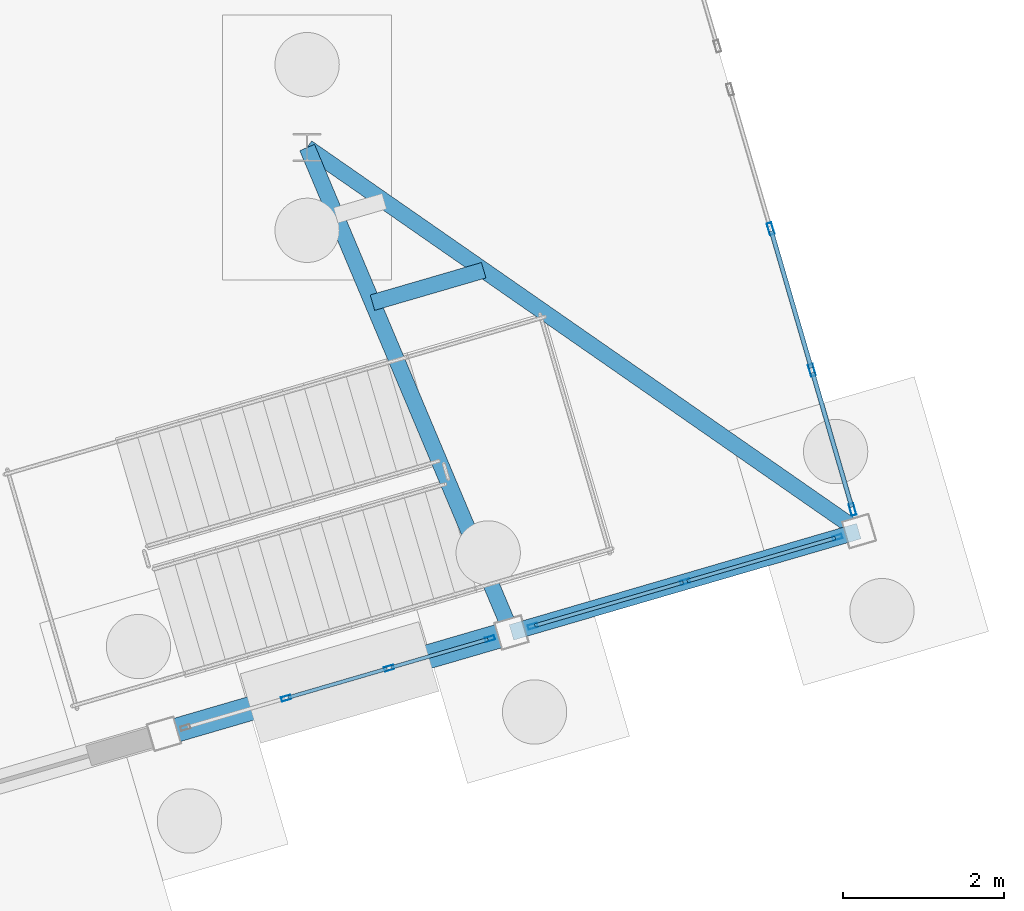
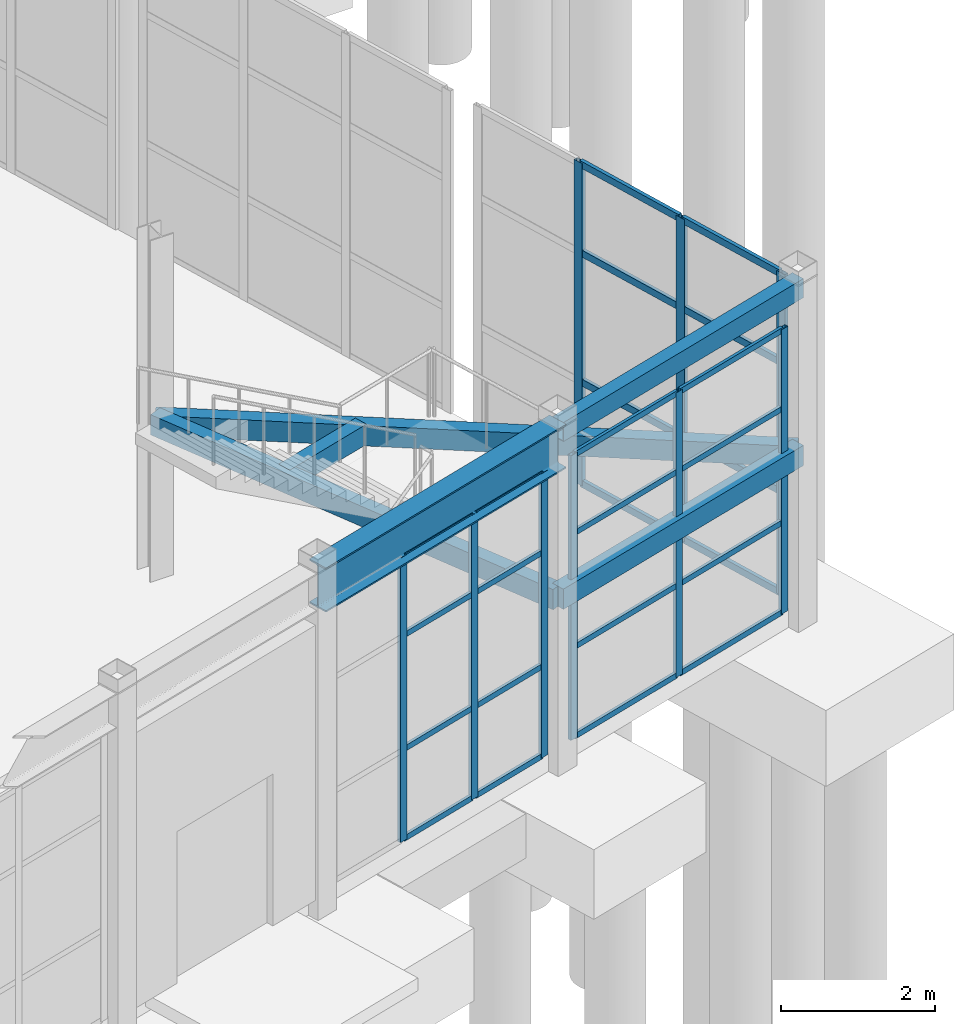
# One storey, part 35 of 90: 33 members, 6 beams, 3 elements without a shape of their own.
"""IFC4 building model written with IfcOpenShell, lengths in metres."""

from ifc_helpers import new_model, si_unit, direction, frame, origin, origin_2d, place, context, subcontext, project, spatial, rectangle, hollow_rectangle, i_section, extrude, material, layer, layer_set, material_profile, profile_set, type_object, element, aggregate, save


model = new_model("IFC4")

# Units and contexts
model_context = context("Model", 3, precision=1e-05, world=origin(), true_north=direction((0.0, 1.0)))
body_context = subcontext(model_context, "Body", "Model", "MODEL_VIEW")
ifc_project = project(units=[si_unit("LENGTHUNIT", "METRE"), si_unit("AREAUNIT", "SQUARE_METRE"), si_unit("VOLUMEUNIT", "CUBIC_METRE"), si_unit("PLANEANGLEUNIT", "RADIAN"), si_unit("MASSUNIT", "GRAM", prefix="KILO")], contexts=[model_context])

# Site, building, storey
site_placement = place(None, origin())
site = spatial("IfcSite", under=ifc_project, at=site_placement, CompositionType="ELEMENT")
building_placement = place(site_placement, origin())
building = spatial("IfcBuilding", under=site, at=building_placement, Name="Canggui Botanical Conservatory", CompositionType="ELEMENT")
storey_placement = place(building_placement, origin())
storey = spatial("IfcBuildingStorey", under=building, at=storey_placement, Name="L01", CompositionType="ELEMENT", Elevation=0.0)

# Beams
ifc_material_1 = material(Name="Steel Q355B", Category="steel")
ifc_material_profile_1 = material_profile(ifc_material_1, i_section(OverallWidth=0.300048828125, OverallDepth=0.699951171875, WebThickness=0.012939453125, FlangeThickness=0.02392578125, FilletRadius=0.02587890625, at=origin_2d()), Name="HN 700x300x13x24")
ifc_profile_set_1 = profile_set([ifc_material_profile_1], Name="Steel Q355B")
beam_type_1 = type_object("IfcBeamType", Name="BM-GL10", PredefinedType="BEAM", material=ifc_profile_set_1)
beam_1_placement = place(storey_placement, frame((63.199951171875, 54.60009765625, 4.824951171875), z_axis=(0.960000607627, 0.279997916698, 0.0), x_axis=(-0.279997916698, 0.960000607627, 0.0)))
element("IfcBeam", 1, at=beam_1_placement, inside=storey, type_object=beam_type_1, Name="Conservatory Skywalk Perimeter Girder V0-13", PredefinedType="BEAM", context=body_context, shape_type="SweptSolid", body=[
    extrude(i_section(OverallWidth=0.300048828125, OverallDepth=0.699951171875, WebThickness=0.012939453125, FlangeThickness=0.02392578125, FilletRadius=0.02587890625, at=origin_2d()), origin(), (0.0, 0.0, 1.0), 4.5),
])
ifc_material_profile_2 = material_profile(ifc_material_1, hollow_rectangle(XDim=0.199951171875, YDim=0.300048828125, WallThickness=0.010009765625, at=origin_2d()), Name="RHS 200x300x10")
ifc_profile_set_2 = profile_set([ifc_material_profile_2], Name="Steel Q355B")
beam_type_2 = type_object("IfcBeamType", Name="BM-GL11", PredefinedType="BEAM", material=ifc_profile_set_2)
beam_2_placement = place(storey_placement, frame((67.52001953125, 55.860107421875, 5.02490234375), z_axis=(0.960000607627, 0.279997916698, 0.0), x_axis=(-0.279997916698, 0.960000607627, 0.0)))
element("IfcBeam", 2, at=beam_2_placement, inside=storey, type_object=beam_type_2, Name="Conservatory Skywalk Perimeter Girder V0-14", PredefinedType="BEAM", context=body_context, shape_type="SweptSolid", body=[
    extrude(hollow_rectangle(XDim=0.199951171875, YDim=0.300048828125, WallThickness=0.010009765625, at=origin_2d()), origin(), (0.0, 0.0, 1.0), 4.5),
])
ifc_material_2 = material(Name="Concrete C35", Category="concrete")
ifc_material_profile_3 = material_profile(ifc_material_2, rectangle(XDim=0.199951171875, YDim=0.320068359375, at=origin_2d()), Name="RB 200x320")
ifc_profile_set_3 = profile_set([ifc_material_profile_3], Name="Concrete C35")
beam_type_3 = type_object("IfcBeamType", Name="BM-LIN02", PredefinedType="LINTEL", material=ifc_profile_set_3)
beam_3_placement = place(storey_placement, frame((67.52001953125, 55.860107421875, 2.3798828125), z_axis=(0.960000607627, 0.279997916698, 0.0), x_axis=(-0.279997916698, 0.960000607627, 0.0)))
element("IfcBeam", 3, at=beam_3_placement, inside=storey, type_object=beam_type_3, Name="ST-C2 Landing Header V0", PredefinedType="LINTEL", context=body_context, shape_type="SweptSolid", body=[
    extrude(rectangle(XDim=0.199951171875, YDim=0.320068359375, at=origin_2d()), origin(), (0.0, 0.0, 1.0), 4.5),
])
beam_4_placement = place(storey_placement, frame((67.52001953125, 55.860107421875, 2.3798828125), z_axis=(-0.388210463229, 0.921570744023, 0.0), x_axis=(-0.921570744023, -0.388210463229, 0.0)))
element("IfcBeam", 4, at=beam_4_placement, inside=storey, type_object=beam_type_3, Name="ST-C2 Landing Trimmer 1", PredefinedType="LINTEL", context=body_context, shape_type="SweptSolid", body=[
    extrude(rectangle(XDim=0.199951171875, YDim=0.320068359375, at=origin_2d()), origin(), (0.0, 0.0, 1.0), 6.54296875),
])
beam_5_placement = place(storey_placement, frame((71.840087890625, 57.1201171875, 2.3798828125), z_axis=(-0.821043943139, 0.570864995804, 0.0), x_axis=(-0.570864995804, -0.821043943139, 0.0)))
element("IfcBeam", 5, at=beam_5_placement, inside=storey, type_object=beam_type_3, Name="ST-C2 Landing Trimmer 2", PredefinedType="LINTEL", context=body_context, shape_type="SweptSolid", body=[
    extrude(rectangle(XDim=0.199951171875, YDim=0.320068359375, at=origin_2d()), origin(), (0.0, 0.0, 1.0), 8.35546875),
])
beam_6_placement = place(storey_placement, frame((65.792724609375, 59.96044921875, 2.3798828125), z_axis=(0.960032271591, 0.279889330814, 0.0), x_axis=(-0.279889330814, 0.960032271591, 0.0)))
element("IfcBeam", 6, at=beam_6_placement, inside=storey, type_object=beam_type_3, Name="ST-C2 Landing Cross Tie 1", PredefinedType="LINTEL", context=body_context, shape_type="SweptSolid", body=[
    extrude(rectangle(XDim=0.199951171875, YDim=0.320068359375, at=origin_2d()), origin(), (0.0, 0.0, 1.0), 1.440185546875),
])

# Curtain wall, members
ifc_material_3 = material(Name="Thermally Broken Aluminium", Category="aluminium")
ifc_layer_1 = layer(ifc_material_3, 0.14990234375, Name="Thermally Broken Aluminium", Category="aluminium")
ifc_layer_set_1 = layer_set([ifc_layer_1], Name="Thermally Broken Aluminium")
curtain_wall_type_1 = type_object("IfcCurtainWallType", Name="CW-UNIT-C", PredefinedType="USERDEFINED", material=ifc_layer_set_1)
curtain_wall_1_placement = place(storey_placement, origin())
curtain_wall_1 = element("IfcCurtainWall", 7, at=curtain_wall_1_placement, inside=storey, type_object=curtain_wall_type_1, Name="Facade Curtain Wall CW-CONS-GABLE-N-01", ObjectType="UNITISED CURTAIN WALL", PredefinedType="USERDEFINED")
ifc_material_profile_4 = material_profile(ifc_material_3, hollow_rectangle(XDim=0.06005859375, YDim=0.14990234375, WallThickness=0.00341796875, at=origin_2d()), Name="CWM 60x150x3.5")
ifc_profile_set_4 = profile_set([ifc_material_profile_4], Name="Thermally Broken Aluminium")
member_type_1 = type_object("IfcMemberType", Name="CWM-03", PredefinedType="MULLION", material=ifc_profile_set_4)
member_1_placement = place(storey_placement, frame((71.76171875, 57.388916015625, 0.0), z_axis=(0.0, 0.0, 1.0), x_axis=(-0.960000000002, -0.279999999995, 0.0)))
member_1 = element("IfcMember", 8, at=member_1_placement, type_object=member_type_1, Name="CW-03 mullion 1", PredefinedType="MULLION", context=body_context, shape_type="SweptSolid", body=[
    extrude(hollow_rectangle(XDim=0.06005859375, YDim=0.14990234375, WallThickness=0.00341796875, at=origin_2d()), origin(), (0.0, 0.0, 1.0), 5.10009765625),
])
member_2_placement = place(storey_placement, frame((71.256591796875, 59.1201171875, 0.0), z_axis=(0.0, 0.0, 1.0), x_axis=(-0.960000000002, -0.279999999995, 0.0)))
member_2 = element("IfcMember", 9, at=member_2_placement, type_object=member_type_1, Name="CW-03 mullion 2", PredefinedType="MULLION", context=body_context, shape_type="SweptSolid", body=[
    extrude(hollow_rectangle(XDim=0.06005859375, YDim=0.14990234375, WallThickness=0.00341796875, at=origin_2d()), origin(), (0.0, 0.0, 1.0), 5.10009765625),
])
member_3_placement = place(storey_placement, frame((70.743408203125, 60.8798828125, 0.0), z_axis=(0.0, 0.0, 1.0), x_axis=(-0.960000000002, -0.279999999995, 0.0)))
member_3 = element("IfcMember", 10, at=member_3_placement, type_object=member_type_1, Name="CW-03 mullion 3", PredefinedType="MULLION", context=body_context, shape_type="SweptSolid", body=[
    extrude(hollow_rectangle(XDim=0.06005859375, YDim=0.14990234375, WallThickness=0.00341796875, at=origin_2d()), origin(), (0.0, 0.0, 1.0), 5.10009765625),
])

ifc_layer_2 = layer(ifc_material_3, 0.1201171875, Name="Thermally Broken Aluminium", Category="aluminium")
ifc_layer_set_2 = layer_set([ifc_layer_2], Name="Thermally Broken Aluminium")
curtain_wall_type_2 = type_object("IfcCurtainWallType", Name="CW-STICK-B", PredefinedType="USERDEFINED", material=ifc_layer_set_2)
curtain_wall_2_placement = place(storey_placement, origin())
curtain_wall_2 = element("IfcCurtainWall", 11, at=curtain_wall_2_placement, inside=storey, type_object=curtain_wall_type_2, Name="Facade Curtain Wall CW-CONS-L01-V0-13", ObjectType="STICK GLAZED WALL", PredefinedType="USERDEFINED")
ifc_material_profile_5 = material_profile(ifc_material_3, hollow_rectangle(XDim=0.054931640625, YDim=0.1201171875, WallThickness=0.0029296875, at=origin_2d()), Name="CWM 55x120x3")
ifc_profile_set_5 = profile_set([ifc_material_profile_5], Name="Thermally Broken Aluminium")
member_type_2 = type_object("IfcMemberType", Name="CWM-05", PredefinedType="MULLION", material=ifc_profile_set_5)
member_4_placement = place(storey_placement, frame((67.253662109375, 55.7822265625, 0.0), z_axis=(0.0, 0.0, 1.0), x_axis=(0.279999999995, -0.960000000002, 0.0)))
member_4 = element("IfcMember", 12, at=member_4_placement, type_object=member_type_2, Name="CW-05 mullion 1", PredefinedType="MULLION", context=body_context, shape_type="SweptSolid", body=[
    extrude(hollow_rectangle(XDim=0.054931640625, YDim=0.1201171875, WallThickness=0.0029296875, at=origin_2d()), origin(), (0.0, 0.0, 1.0), 4.5),
])
member_5_placement = place(storey_placement, frame((66.0, 55.416748046875, 0.0), z_axis=(0.0, 0.0, 1.0), x_axis=(0.279999999995, -0.960000000002, 0.0)))
member_5 = element("IfcMember", 13, at=member_5_placement, type_object=member_type_2, Name="CW-05 mullion 2", PredefinedType="MULLION", context=body_context, shape_type="SweptSolid", body=[
    extrude(hollow_rectangle(XDim=0.054931640625, YDim=0.1201171875, WallThickness=0.0029296875, at=origin_2d()), origin(), (0.0, 0.0, 1.0), 4.5),
])
member_6_placement = place(storey_placement, frame((64.719970703125, 55.043212890625, 0.0), z_axis=(0.0, 0.0, 1.0), x_axis=(0.279999999995, -0.960000000002, 0.0)))
member_6 = element("IfcMember", 14, at=member_6_placement, type_object=member_type_2, Name="CW-05 mullion 3", PredefinedType="MULLION", context=body_context, shape_type="SweptSolid", body=[
    extrude(hollow_rectangle(XDim=0.054931640625, YDim=0.1201171875, WallThickness=0.0029296875, at=origin_2d()), origin(), (0.0, 0.0, 1.0), 4.5),
])

curtain_wall_3_placement = place(storey_placement, origin())
curtain_wall_3 = element("IfcCurtainWall", 15, at=curtain_wall_3_placement, inside=storey, type_object=curtain_wall_type_2, Name="Facade Curtain Wall CW-CONS-L01-V0-14", ObjectType="STICK GLAZED WALL", PredefinedType="USERDEFINED")
member_7_placement = place(storey_placement, frame((71.573486328125, 57.042236328125, 0.0), z_axis=(0.0, 0.0, 1.0), x_axis=(0.279999999995, -0.960000000002, 0.0)))
member_7 = element("IfcMember", 16, at=member_7_placement, type_object=member_type_2, Name="CW-05 mullion 1", PredefinedType="MULLION", context=body_context, shape_type="SweptSolid", body=[
    extrude(hollow_rectangle(XDim=0.054931640625, YDim=0.1201171875, WallThickness=0.0029296875, at=origin_2d()), origin(), (0.0, 0.0, 1.0), 4.5),
])
member_8_placement = place(storey_placement, frame((69.679931640625, 56.489990234375, 0.0), z_axis=(0.0, 0.0, 1.0), x_axis=(0.279999999995, -0.960000000002, 0.0)))
member_8 = element("IfcMember", 17, at=member_8_placement, type_object=member_type_2, Name="CW-05 mullion 2", PredefinedType="MULLION", context=body_context, shape_type="SweptSolid", body=[
    extrude(hollow_rectangle(XDim=0.054931640625, YDim=0.1201171875, WallThickness=0.0029296875, at=origin_2d()), origin(), (0.0, 0.0, 1.0), 4.5),
])
member_9_placement = place(storey_placement, frame((67.786376953125, 55.937744140625, 0.0), z_axis=(0.0, 0.0, 1.0), x_axis=(0.279999999995, -0.960000000002, 0.0)))
member_9 = element("IfcMember", 18, at=member_9_placement, type_object=member_type_2, Name="CW-05 mullion 3", PredefinedType="MULLION", context=body_context, shape_type="SweptSolid", body=[
    extrude(hollow_rectangle(XDim=0.054931640625, YDim=0.1201171875, WallThickness=0.0029296875, at=origin_2d()), origin(), (0.0, 0.0, 1.0), 4.5),
])

# Member
ifc_material_profile_6 = material_profile(ifc_material_3, hollow_rectangle(XDim=0.054931640625, YDim=0.110107421875, WallThickness=0.0029296875, at=origin_2d()), Name="CWT 55x110x3")
ifc_profile_set_6 = profile_set([ifc_material_profile_6], Name="Thermally Broken Aluminium")
member_type_3 = type_object("IfcMemberType", Name="CWT-03", PredefinedType="USERDEFINED", material=ifc_profile_set_6)
member_10_placement = place(storey_placement, frame((71.753173828125, 57.41748046875, 0.027587890625), z_axis=(-0.279913966289, 0.960025088983, 0.0), x_axis=(-0.960025088983, -0.279913966289, 0.0)))
member_10 = element("IfcMember", 19, at=member_10_placement, type_object=member_type_3, Name="CW-03 transom 1.1", ObjectType="TRANSOM", PredefinedType="USERDEFINED", context=body_context, shape_type="SweptSolid", body=[
    extrude(hollow_rectangle(XDim=0.054931640625, YDim=0.110107421875, WallThickness=0.0029296875, at=origin_2d()), origin(), (0.0, 0.0, 1.0), 1.743408203125),
])

member_11_placement = place(storey_placement, frame((71.753173828125, 57.41748046875, 1.632080078125), z_axis=(-0.279913966289, 0.960025088983, 0.0), x_axis=(-0.960025088983, -0.279913966289, 0.0)))
member_11 = element("IfcMember", 20, at=member_11_placement, type_object=member_type_3, Name="CW-03 transom 1.2", ObjectType="TRANSOM", PredefinedType="USERDEFINED", context=body_context, shape_type="SweptSolid", body=[
    extrude(hollow_rectangle(XDim=0.054931640625, YDim=0.110107421875, WallThickness=0.0029296875, at=origin_2d()), origin(), (0.0, 0.0, 1.0), 1.743408203125),
])

member_12_placement = place(storey_placement, frame((71.753173828125, 57.41748046875, 3.672119140625), z_axis=(-0.279913966289, 0.960025088983, 0.0), x_axis=(-0.960025088983, -0.279913966289, 0.0)))
member_12 = element("IfcMember", 21, at=member_12_placement, type_object=member_type_3, Name="CW-03 transom 1.3", ObjectType="TRANSOM", PredefinedType="USERDEFINED", context=body_context, shape_type="SweptSolid", body=[
    extrude(hollow_rectangle(XDim=0.054931640625, YDim=0.110107421875, WallThickness=0.0029296875, at=origin_2d()), origin(), (0.0, 0.0, 1.0), 1.743408203125),
])

member_13_placement = place(storey_placement, frame((71.753173828125, 57.41748046875, 5.072509765625), z_axis=(-0.279913966289, 0.960025088983, 0.0), x_axis=(-0.960025088983, -0.279913966289, 0.0)))
member_13 = element("IfcMember", 22, at=member_13_placement, type_object=member_type_3, Name="CW-03 transom 1.4", ObjectType="TRANSOM", PredefinedType="USERDEFINED", context=body_context, shape_type="SweptSolid", body=[
    extrude(hollow_rectangle(XDim=0.054931640625, YDim=0.110107421875, WallThickness=0.0029296875, at=origin_2d()), origin(), (0.0, 0.0, 1.0), 1.743408203125),
])

member_14_placement = place(storey_placement, frame((71.248291015625, 59.148681640625, 0.027587890625), z_axis=(-0.279989428111, 0.960003083405, 0.0), x_axis=(-0.960003083405, -0.279989428111, 0.0)))
member_14 = element("IfcMember", 23, at=member_14_placement, type_object=member_type_3, Name="CW-03 transom 2.1", ObjectType="TRANSOM", PredefinedType="USERDEFINED", context=body_context, shape_type="SweptSolid", body=[
    extrude(hollow_rectangle(XDim=0.054931640625, YDim=0.110107421875, WallThickness=0.0029296875, at=origin_2d()), origin(), (0.0, 0.0, 1.0), 1.773681640625),
])

member_15_placement = place(storey_placement, frame((71.248291015625, 59.148681640625, 1.632080078125), z_axis=(-0.279989428111, 0.960003083405, 0.0), x_axis=(-0.960003083405, -0.279989428111, 0.0)))
member_15 = element("IfcMember", 24, at=member_15_placement, type_object=member_type_3, Name="CW-03 transom 2.2", ObjectType="TRANSOM", PredefinedType="USERDEFINED", context=body_context, shape_type="SweptSolid", body=[
    extrude(hollow_rectangle(XDim=0.054931640625, YDim=0.110107421875, WallThickness=0.0029296875, at=origin_2d()), origin(), (0.0, 0.0, 1.0), 1.773681640625),
])

member_16_placement = place(storey_placement, frame((71.248291015625, 59.148681640625, 3.672119140625), z_axis=(-0.279989428111, 0.960003083405, 0.0), x_axis=(-0.960003083405, -0.279989428111, 0.0)))
member_16 = element("IfcMember", 25, at=member_16_placement, type_object=member_type_3, Name="CW-03 transom 2.3", ObjectType="TRANSOM", PredefinedType="USERDEFINED", context=body_context, shape_type="SweptSolid", body=[
    extrude(hollow_rectangle(XDim=0.054931640625, YDim=0.110107421875, WallThickness=0.0029296875, at=origin_2d()), origin(), (0.0, 0.0, 1.0), 1.773681640625),
])

member_17_placement = place(storey_placement, frame((71.248291015625, 59.148681640625, 5.072509765625), z_axis=(-0.279989428111, 0.960003083405, 0.0), x_axis=(-0.960003083405, -0.279989428111, 0.0)))
member_17 = element("IfcMember", 26, at=member_17_placement, type_object=member_type_3, Name="CW-03 transom 2.4", ObjectType="TRANSOM", PredefinedType="USERDEFINED", context=body_context, shape_type="SweptSolid", body=[
    extrude(hollow_rectangle(XDim=0.054931640625, YDim=0.110107421875, WallThickness=0.0029296875, at=origin_2d()), origin(), (0.0, 0.0, 1.0), 1.773681640625),
])

aggregate(curtain_wall_1, [member_1, member_2, member_3, member_10, member_11, member_12, member_13, member_14, member_15, member_16, member_17])

ifc_material_profile_7 = material_profile(ifc_material_3, hollow_rectangle(XDim=0.044921875, YDim=0.090087890625, WallThickness=0.0029296875, at=origin_2d()), Name="CWT 45x90x3")
ifc_profile_set_7 = profile_set([ifc_material_profile_7], Name="Thermally Broken Aluminium")
member_type_4 = type_object("IfcMemberType", Name="CWT-05", PredefinedType="USERDEFINED", material=ifc_profile_set_7)
member_18_placement = place(storey_placement, frame((67.227294921875, 55.774658203125, 0.0224609375), z_axis=(-0.95998469814, -0.280052458189, 0.0), x_axis=(0.280052458189, -0.95998469814, 0.0)))
member_18 = element("IfcMember", 27, at=member_18_placement, type_object=member_type_4, Name="CW-05 transom 1.1", ObjectType="TRANSOM", PredefinedType="USERDEFINED", context=body_context, shape_type="SweptSolid", body=[
    extrude(hollow_rectangle(XDim=0.044921875, YDim=0.090087890625, WallThickness=0.0029296875, at=origin_2d()), origin(), (0.0, 0.0, 1.0), 1.2509765625),
])

member_19_placement = place(storey_placement, frame((67.227294921875, 55.774658203125, 1.43994140625), z_axis=(-0.95998469814, -0.280052458189, 0.0), x_axis=(0.280052458189, -0.95998469814, 0.0)))
member_19 = element("IfcMember", 28, at=member_19_placement, type_object=member_type_4, Name="CW-05 transom 1.2", ObjectType="TRANSOM", PredefinedType="USERDEFINED", context=body_context, shape_type="SweptSolid", body=[
    extrude(hollow_rectangle(XDim=0.044921875, YDim=0.090087890625, WallThickness=0.0029296875, at=origin_2d()), origin(), (0.0, 0.0, 1.0), 1.2509765625),
])

member_20_placement = place(storey_placement, frame((67.227294921875, 55.774658203125, 3.239990234375), z_axis=(-0.95998469814, -0.280052458189, 0.0), x_axis=(0.280052458189, -0.95998469814, 0.0)))
member_20 = element("IfcMember", 29, at=member_20_placement, type_object=member_type_4, Name="CW-05 transom 1.3", ObjectType="TRANSOM", PredefinedType="USERDEFINED", context=body_context, shape_type="SweptSolid", body=[
    extrude(hollow_rectangle(XDim=0.044921875, YDim=0.090087890625, WallThickness=0.0029296875, at=origin_2d()), origin(), (0.0, 0.0, 1.0), 1.2509765625),
])

member_21_placement = place(storey_placement, frame((67.227294921875, 55.774658203125, 4.4775390625), z_axis=(-0.95998469814, -0.280052458189, 0.0), x_axis=(0.280052458189, -0.95998469814, 0.0)))
member_21 = element("IfcMember", 30, at=member_21_placement, type_object=member_type_4, Name="CW-05 transom 1.4", ObjectType="TRANSOM", PredefinedType="USERDEFINED", context=body_context, shape_type="SweptSolid", body=[
    extrude(hollow_rectangle(XDim=0.044921875, YDim=0.090087890625, WallThickness=0.0029296875, at=origin_2d()), origin(), (0.0, 0.0, 1.0), 1.2509765625),
])

member_22_placement = place(storey_placement, frame((65.9736328125, 55.408935546875, 0.0224609375), z_axis=(-0.96001069367, -0.279963333384, 0.0), x_axis=(0.279963333384, -0.96001069367, 0.0)))
member_22 = element("IfcMember", 31, at=member_22_placement, type_object=member_type_4, Name="CW-05 transom 2.1", ObjectType="TRANSOM", PredefinedType="USERDEFINED", context=body_context, shape_type="SweptSolid", body=[
    extrude(hollow_rectangle(XDim=0.044921875, YDim=0.090087890625, WallThickness=0.0029296875, at=origin_2d()), origin(), (0.0, 0.0, 1.0), 1.2783203125),
])

member_23_placement = place(storey_placement, frame((65.9736328125, 55.408935546875, 1.43994140625), z_axis=(-0.96001069367, -0.279963333384, 0.0), x_axis=(0.279963333384, -0.96001069367, 0.0)))
member_23 = element("IfcMember", 32, at=member_23_placement, type_object=member_type_4, Name="CW-05 transom 2.2", ObjectType="TRANSOM", PredefinedType="USERDEFINED", context=body_context, shape_type="SweptSolid", body=[
    extrude(hollow_rectangle(XDim=0.044921875, YDim=0.090087890625, WallThickness=0.0029296875, at=origin_2d()), origin(), (0.0, 0.0, 1.0), 1.2783203125),
])

member_24_placement = place(storey_placement, frame((65.9736328125, 55.408935546875, 3.239990234375), z_axis=(-0.96001069367, -0.279963333384, 0.0), x_axis=(0.279963333384, -0.96001069367, 0.0)))
member_24 = element("IfcMember", 33, at=member_24_placement, type_object=member_type_4, Name="CW-05 transom 2.3", ObjectType="TRANSOM", PredefinedType="USERDEFINED", context=body_context, shape_type="SweptSolid", body=[
    extrude(hollow_rectangle(XDim=0.044921875, YDim=0.090087890625, WallThickness=0.0029296875, at=origin_2d()), origin(), (0.0, 0.0, 1.0), 1.2783203125),
])

member_25_placement = place(storey_placement, frame((65.9736328125, 55.408935546875, 4.4775390625), z_axis=(-0.96001069367, -0.279963333384, 0.0), x_axis=(0.279963333384, -0.96001069367, 0.0)))
member_25 = element("IfcMember", 34, at=member_25_placement, type_object=member_type_4, Name="CW-05 transom 2.4", ObjectType="TRANSOM", PredefinedType="USERDEFINED", context=body_context, shape_type="SweptSolid", body=[
    extrude(hollow_rectangle(XDim=0.044921875, YDim=0.090087890625, WallThickness=0.0029296875, at=origin_2d()), origin(), (0.0, 0.0, 1.0), 1.2783203125),
])

aggregate(curtain_wall_2, [member_4, member_5, member_6, member_18, member_19, member_20, member_21, member_22, member_23, member_24, member_25])

member_26_placement = place(storey_placement, frame((71.547119140625, 57.03466796875, 0.0224609375), z_axis=(-0.960005703813, -0.279980443327, 0.0), x_axis=(0.279980443327, -0.960005703813, 0.0)))
member_26 = element("IfcMember", 35, at=member_26_placement, type_object=member_type_4, Name="CW-05 transom 1.1", ObjectType="TRANSOM", PredefinedType="USERDEFINED", context=body_context, shape_type="SweptSolid", body=[
    extrude(hollow_rectangle(XDim=0.044921875, YDim=0.090087890625, WallThickness=0.0029296875, at=origin_2d()), origin(), (0.0, 0.0, 1.0), 1.91748046875),
])

member_27_placement = place(storey_placement, frame((71.547119140625, 57.03466796875, 1.43994140625), z_axis=(-0.960005703813, -0.279980443327, 0.0), x_axis=(0.279980443327, -0.960005703813, 0.0)))
member_27 = element("IfcMember", 36, at=member_27_placement, type_object=member_type_4, Name="CW-05 transom 1.2", ObjectType="TRANSOM", PredefinedType="USERDEFINED", context=body_context, shape_type="SweptSolid", body=[
    extrude(hollow_rectangle(XDim=0.044921875, YDim=0.090087890625, WallThickness=0.0029296875, at=origin_2d()), origin(), (0.0, 0.0, 1.0), 1.91748046875),
])

member_28_placement = place(storey_placement, frame((71.547119140625, 57.03466796875, 3.239990234375), z_axis=(-0.960005703813, -0.279980443327, 0.0), x_axis=(0.279980443327, -0.960005703813, 0.0)))
member_28 = element("IfcMember", 37, at=member_28_placement, type_object=member_type_4, Name="CW-05 transom 1.3", ObjectType="TRANSOM", PredefinedType="USERDEFINED", context=body_context, shape_type="SweptSolid", body=[
    extrude(hollow_rectangle(XDim=0.044921875, YDim=0.090087890625, WallThickness=0.0029296875, at=origin_2d()), origin(), (0.0, 0.0, 1.0), 1.91748046875),
])

member_29_placement = place(storey_placement, frame((71.547119140625, 57.03466796875, 4.4775390625), z_axis=(-0.960005703813, -0.279980443327, 0.0), x_axis=(0.279980443327, -0.960005703813, 0.0)))
member_29 = element("IfcMember", 38, at=member_29_placement, type_object=member_type_4, Name="CW-05 transom 1.4", ObjectType="TRANSOM", PredefinedType="USERDEFINED", context=body_context, shape_type="SweptSolid", body=[
    extrude(hollow_rectangle(XDim=0.044921875, YDim=0.090087890625, WallThickness=0.0029296875, at=origin_2d()), origin(), (0.0, 0.0, 1.0), 1.91748046875),
])

member_30_placement = place(storey_placement, frame((69.653564453125, 56.482421875, 0.0224609375), z_axis=(-0.959971475974, -0.280097778136, 0.0), x_axis=(0.280097778136, -0.959971475974, 0.0)))
member_30 = element("IfcMember", 39, at=member_30_placement, type_object=member_type_4, Name="CW-05 transom 2.1", ObjectType="TRANSOM", PredefinedType="USERDEFINED", context=body_context, shape_type="SweptSolid", body=[
    extrude(hollow_rectangle(XDim=0.044921875, YDim=0.090087890625, WallThickness=0.0029296875, at=origin_2d()), origin(), (0.0, 0.0, 1.0), 1.91748046875),
])

member_31_placement = place(storey_placement, frame((69.653564453125, 56.482421875, 1.43994140625), z_axis=(-0.959971475974, -0.280097778136, 0.0), x_axis=(0.280097778136, -0.959971475974, 0.0)))
member_31 = element("IfcMember", 40, at=member_31_placement, type_object=member_type_4, Name="CW-05 transom 2.2", ObjectType="TRANSOM", PredefinedType="USERDEFINED", context=body_context, shape_type="SweptSolid", body=[
    extrude(hollow_rectangle(XDim=0.044921875, YDim=0.090087890625, WallThickness=0.0029296875, at=origin_2d()), origin(), (0.0, 0.0, 1.0), 1.91748046875),
])

member_32_placement = place(storey_placement, frame((69.653564453125, 56.482421875, 3.239990234375), z_axis=(-0.959971475974, -0.280097778136, 0.0), x_axis=(0.280097778136, -0.959971475974, 0.0)))
member_32 = element("IfcMember", 41, at=member_32_placement, type_object=member_type_4, Name="CW-05 transom 2.3", ObjectType="TRANSOM", PredefinedType="USERDEFINED", context=body_context, shape_type="SweptSolid", body=[
    extrude(hollow_rectangle(XDim=0.044921875, YDim=0.090087890625, WallThickness=0.0029296875, at=origin_2d()), origin(), (0.0, 0.0, 1.0), 1.91748046875),
])

member_33_placement = place(storey_placement, frame((69.653564453125, 56.482421875, 4.4775390625), z_axis=(-0.959971475974, -0.280097778136, 0.0), x_axis=(0.280097778136, -0.959971475974, 0.0)))
member_33 = element("IfcMember", 42, at=member_33_placement, type_object=member_type_4, Name="CW-05 transom 2.4", ObjectType="TRANSOM", PredefinedType="USERDEFINED", context=body_context, shape_type="SweptSolid", body=[
    extrude(hollow_rectangle(XDim=0.044921875, YDim=0.090087890625, WallThickness=0.0029296875, at=origin_2d()), origin(), (0.0, 0.0, 1.0), 1.91748046875),
])

aggregate(curtain_wall_3, [member_7, member_8, member_9, member_26, member_27, member_28, member_29, member_30, member_31, member_32, member_33])

save(model, "model.ifc")
